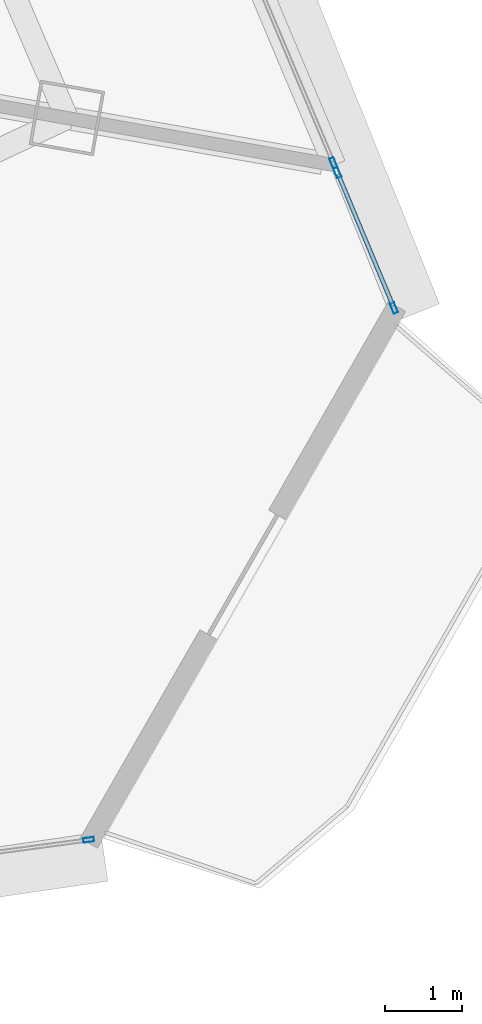
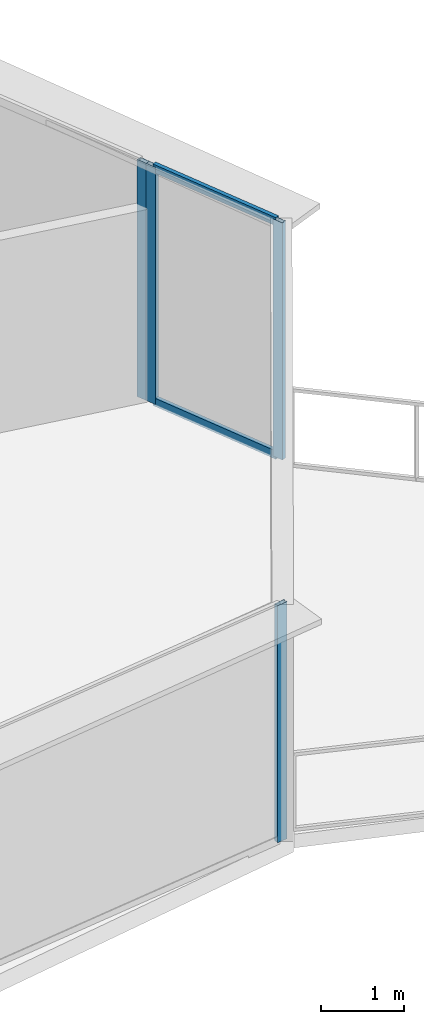
# One storey, part 21 of 34: 6 members, 3 elements without a shape of their own.
"""IFC4 building model written with IfcOpenShell, lengths in metres."""

from ifc_helpers import new_model, si_unit, direction, frame, origin, origin_2d, place, context, subcontext, project, spatial, hollow_rectangle, extrude, source, transform, mapped, material, layer, layer_set, material_profile, profile_set, type_object, element, aggregate, save


model = new_model("IFC4")

# Units and contexts
model_context = context("Model", 3, precision=1e-05, world=origin(), true_north=direction((0.0, 1.0)))
body_context = subcontext(model_context, "Body", "Model", "MODEL_VIEW")
ifc_project = project(units=[si_unit("LENGTHUNIT", "METRE"), si_unit("AREAUNIT", "SQUARE_METRE"), si_unit("VOLUMEUNIT", "CUBIC_METRE"), si_unit("PLANEANGLEUNIT", "RADIAN"), si_unit("MASSUNIT", "GRAM", prefix="KILO"), si_unit("THERMODYNAMICTEMPERATUREUNIT", "KELVIN"), si_unit("POWERUNIT", "WATT")], contexts=[model_context])

# Site, building, storey
site_placement = place(None, origin())
site = spatial("IfcSite", under=ifc_project, at=site_placement, CompositionType="ELEMENT")
building_placement = place(site_placement, origin())
building = spatial("IfcBuilding", under=site, at=building_placement, Name="Yunzhuo Pagoda Commons", CompositionType="ELEMENT")
storey_placement = place(building_placement, frame((0.0, 0.0, 233.340087890625)))
storey = spatial("IfcBuildingStorey", under=building, at=storey_placement, Name="L58", CompositionType="ELEMENT", Elevation=233.340087890625)

# Curtain wall, member
ifc_material = material(Name="Anodized aluminium 6063-T6", Category="aluminium")
ifc_layer = layer(ifc_material, 0.139892578125)
ifc_layer_set = layer_set([ifc_layer], Name="Anodized aluminium 6063-T6")
curtain_wall_type = type_object("IfcCurtainWallType", Name="CW-HI High-Zone Ribbon Curtain Wall", PredefinedType="NOTDEFINED", material=ifc_layer_set)
curtain_wall_1_placement = place(storey_placement, origin())
curtain_wall_1 = element("IfcCurtainWall", 1, at=curtain_wall_1_placement, inside=storey, type_object=curtain_wall_type, Name="L58 curtain wall CW-L58-F1B5", PredefinedType="NOTDEFINED")
ifc_material_profile_1 = material_profile(ifc_material, hollow_rectangle(XDim=0.06005859375, YDim=0.139892578125, WallThickness=0.00341796875, at=origin_2d()), Name="Anodized aluminium 6063-T6")
ifc_profile_set_1 = profile_set([ifc_material_profile_1], Name="Anodized aluminium 6063-T6")
member_type_1 = type_object("IfcMemberType", Name="CW-HI-M Mullion RHS 140x60x3.5", PredefinedType="MULLION", material=ifc_profile_set_1)
shared_shape_1 = source(origin(), body_context, "Body", "SweptSolid", [
    extrude(hollow_rectangle(XDim=0.06005859375, YDim=0.139892578125, WallThickness=0.00341796875, at=origin_2d()), origin(), (0.0, 0.0, 1.0), 3.469970703125),
])
member_1_placement = place(storey_placement, frame((80.2177734375, 18.6513671875, 0.0), z_axis=(0.0, 0.0, 1.0), x_axis=(-0.133929585963, 0.990990850616, 0.0)))
member_1 = element("IfcMember", 2, at=member_1_placement, type_object=member_type_1, Name="CW mullion 2", PredefinedType="MULLION", context=body_context, shape_type="MappedRepresentation", body=[
    mapped(shared_shape_1, transform((0.0, 0.0, 0.0), scale=1.0)),
])
aggregate(curtain_wall_1, [member_1])

curtain_wall_2_placement = place(storey_placement, origin())
curtain_wall_2 = element("IfcCurtainWall", 3, at=curtain_wall_2_placement, inside=storey, type_object=curtain_wall_type, Name="L58 curtain wall CW-L58-F2B2", PredefinedType="NOTDEFINED")
member_2_placement = place(storey_placement, frame((83.410888671875, 27.48193359375, 0.0), z_axis=(0.0, 0.0, 1.0), x_axis=(-0.92158893956, -0.388167266112, 0.0)))
member_2 = element("IfcMember", 4, at=member_2_placement, type_object=member_type_1, Name="CW mullion 1", PredefinedType="MULLION", context=body_context, shape_type="MappedRepresentation", body=[
    mapped(shared_shape_1, transform((0.0, 0.0, 0.0), scale=1.0)),
])
aggregate(curtain_wall_2, [member_2])

# Curtain wall, members
curtain_wall_3_placement = place(storey_placement, origin())
curtain_wall_3 = element("IfcCurtainWall", 5, at=curtain_wall_3_placement, inside=storey, type_object=curtain_wall_type, Name="L58 curtain wall CW-L58-F2B1", PredefinedType="NOTDEFINED")
member_3_placement = place(storey_placement, frame((84.201171875, 25.589599609375, 0.0), z_axis=(0.0, 0.0, 1.0), x_axis=(-0.922772675165, -0.385344767667, 0.0)))
member_3 = element("IfcMember", 6, at=member_3_placement, type_object=member_type_1, Name="CW mullion 1", PredefinedType="MULLION", context=body_context, shape_type="MappedRepresentation", body=[
    mapped(shared_shape_1, transform((0.0, 0.0, 0.0), scale=1.0)),
])
member_4_placement = place(storey_placement, frame((83.462890625, 27.357177734375, 0.0), z_axis=(0.0, 0.0, 1.0), x_axis=(-0.922772675165, -0.385344767667, 0.0)))
member_4 = element("IfcMember", 7, at=member_4_placement, type_object=member_type_1, Name="CW mullion 2", PredefinedType="MULLION", context=body_context, shape_type="MappedRepresentation", body=[
    mapped(shared_shape_1, transform((0.0, 0.0, 0.0), scale=1.0)),
])
ifc_material_profile_2 = material_profile(ifc_material, hollow_rectangle(XDim=0.054931640625, YDim=0.1201171875, WallThickness=0.00341796875, at=origin_2d()), Name="Anodized aluminium 6063-T6")
ifc_profile_set_2 = profile_set([ifc_material_profile_2], Name="Anodized aluminium 6063-T6")
member_type_2 = type_object("IfcMemberType", Name="CW-HI-T Transom RHS 120x55x3.5", PredefinedType="USERDEFINED", material=ifc_profile_set_2)
shared_shape_2 = source(origin(), body_context, "Body", "SweptSolid", [
    extrude(hollow_rectangle(XDim=0.054931640625, YDim=0.1201171875, WallThickness=0.00341796875, at=origin_2d()), origin(), (0.0, 0.0, 1.0), 1.85595703125),
])
member_5_placement = place(storey_placement, frame((84.189697265625, 25.616943359375, 0.02734375), z_axis=(-0.385297137482, 0.922792563823, 0.0), x_axis=(-0.922792563823, -0.385297137482, 0.0)))
member_5 = element("IfcMember", 8, at=member_5_placement, type_object=member_type_2, Name="CW transom 1.1", ObjectType="TRANSOM", PredefinedType="USERDEFINED", context=body_context, shape_type="MappedRepresentation", body=[
    mapped(shared_shape_2, transform((0.0, 0.0, 0.0), scale=1.0)),
])
member_6_placement = place(storey_placement, frame((84.189697265625, 25.616943359375, 3.4423828125), z_axis=(-0.385297137482, 0.922792563823, 0.0), x_axis=(-0.922792563823, -0.385297137482, 0.0)))
member_6 = element("IfcMember", 9, at=member_6_placement, type_object=member_type_2, Name="CW transom 1.2", ObjectType="TRANSOM", PredefinedType="USERDEFINED", context=body_context, shape_type="MappedRepresentation", body=[
    mapped(shared_shape_2, transform((0.0, 0.0, 0.0), scale=1.0)),
])
aggregate(curtain_wall_3, [member_3, member_4, member_5, member_6])

save(model, "model.ifc")
